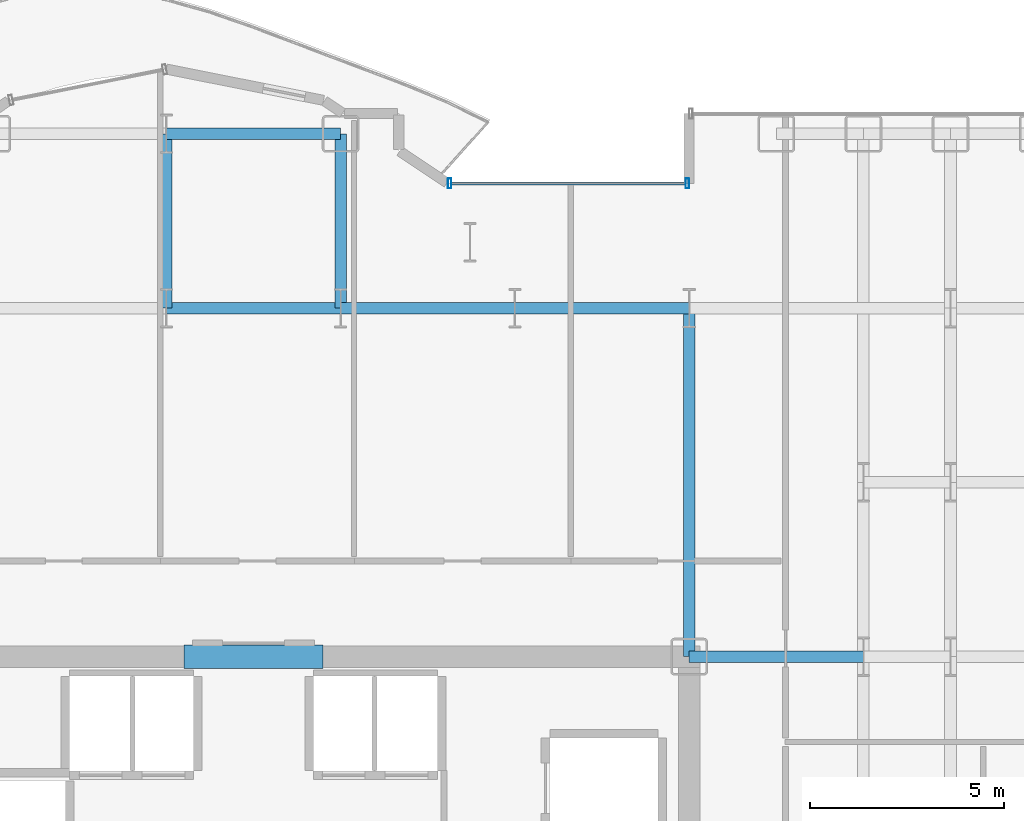
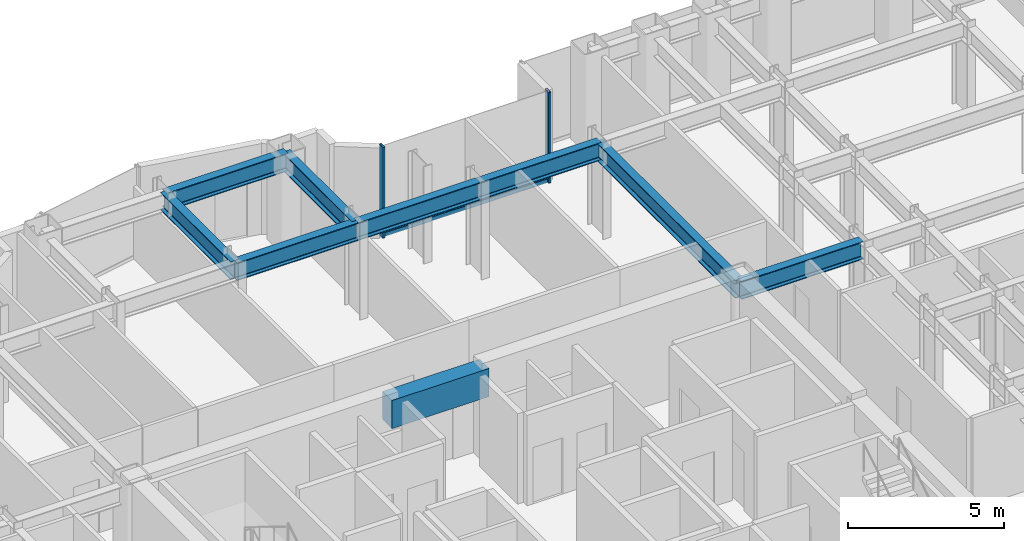
# One storey, part 14 of 29: 9 beams, 3 members, 1 element without a shape of its own.
"""IFC4 building model written with IfcOpenShell, lengths in metres."""

from ifc_helpers import new_model, si_unit, direction, frame, origin, origin_2d, place, context, subcontext, project, spatial, rectangle, hollow_rectangle, i_section, extrude, source, transform, mapped, material, layer, layer_set, material_profile, profile_set, type_object, element, aggregate, save


model = new_model("IFC4")

# Units and contexts
model_context = context("Model", 3, precision=1e-05, world=origin(), true_north=direction((0.0, 1.0)))
body_context = subcontext(model_context, "Body", "Model", "MODEL_VIEW")
ifc_project = project(units=[si_unit("LENGTHUNIT", "METRE"), si_unit("AREAUNIT", "SQUARE_METRE"), si_unit("VOLUMEUNIT", "CUBIC_METRE"), si_unit("PLANEANGLEUNIT", "RADIAN"), si_unit("MASSUNIT", "GRAM", prefix="KILO")], contexts=[model_context])

# Site, building, storey
site_placement = place(None, origin())
site = spatial("IfcSite", under=ifc_project, at=site_placement, CompositionType="ELEMENT")
building_placement = place(site_placement, origin())
building = spatial("IfcBuilding", under=site, at=building_placement, Name="Nefas-Gora Pilgrimage Tower", CompositionType="ELEMENT")
storey_placement = place(building_placement, frame((0.0, 0.0, 90.800048828125)))
storey = spatial("IfcBuildingStorey", under=building, at=storey_placement, Name="L21", CompositionType="ELEMENT", Elevation=90.800048828125)

# Beams
ifc_material_1 = material(Name="Concrete C60/75", Category="concrete")
ifc_material_profile_1 = material_profile(ifc_material_1, rectangle(XDim=0.60009765625, YDim=1.10009765625, at=origin_2d()), Name="RC 600x1100")
ifc_profile_set_1 = profile_set([ifc_material_profile_1], Name="Concrete C60/75")
beam_type_1 = type_object("IfcBeamType", Name="BM-LIN-RC1100", PredefinedType="LINTEL", material=ifc_profile_set_1)
shared_shape_1 = source(origin(), body_context, "Body", "SweptSolid", [
    extrude(rectangle(XDim=0.60009765625, YDim=1.10009765625, at=origin_2d()), origin(), (0.0, 0.0, 1.0), 3.60009765625),
])
beam_1_placement = place(storey_placement, frame((-1.800048828125, 9.0, 3.0), z_axis=(1.0, 0.0, 0.0), x_axis=(0.0, 1.0, 0.0)))
element("IfcBeam", 1, at=beam_1_placement, inside=storey, type_object=beam_type_1, Name="L21 Core Coupling Lintel Beam N", PredefinedType="LINTEL", context=body_context, shape_type="MappedRepresentation", body=[
    mapped(shared_shape_1, transform((0.0, 0.0, 0.0), x_axis=(1.0, 0.0, 0.0), y_axis=(0.0, 1.0, 0.0), z_axis=(0.0, 0.0, 1.0), scale=1.0)),
])
ifc_material_2 = material(Name="Steel S355", Category="steel")
ifc_material_profile_2 = material_profile(ifc_material_2, i_section(OverallWidth=0.300048828125, OverallDepth=0.699951171875, WebThickness=0.01708984375, FlangeThickness=0.031982421875, FilletRadius=0.027099609375, at=origin_2d()), Name="HEB 700")
ifc_profile_set_2 = profile_set([ifc_material_profile_2], Name="Steel S355")
beam_type_2 = type_object("IfcBeamType", Name="BM-GIR-HEB700", PredefinedType="BEAM", material=ifc_profile_set_2)
shared_shape_2 = source(origin(), body_context, "Body", "SweptSolid", [
    extrude(i_section(OverallWidth=0.300048828125, OverallDepth=0.699951171875, WebThickness=0.01708984375, FlangeThickness=0.031982421875, FilletRadius=0.027099609375, at=origin_2d()), origin(), (0.0, 0.0, 1.0), 9.0),
])
beam_2_placement = place(storey_placement, frame((11.25, 9.0, 3.199951171875), z_axis=(0.0, 1.0, 0.0), x_axis=(-1.0, 0.0, 0.0)))
element("IfcBeam", 2, at=beam_2_placement, inside=storey, type_object=beam_type_2, Name="L21 G-02 beam", PredefinedType="BEAM", context=body_context, shape_type="MappedRepresentation", body=[
    mapped(shared_shape_2, transform((0.0, 0.0, 0.0), x_axis=(1.0, 0.0, 0.0), y_axis=(0.0, 1.0, 0.0), z_axis=(0.0, 0.0, 1.0), scale=1.0)),
])
shared_shape_3 = source(origin(), body_context, "Body", "SweptSolid", [
    extrude(i_section(OverallWidth=0.300048828125, OverallDepth=0.699951171875, WebThickness=0.01708984375, FlangeThickness=0.031982421875, FilletRadius=0.027099609375, at=origin_2d()), origin(), (0.0, 0.0, 1.0), 4.5),
])
for number, where, z_axis, x_axis, name in (
    (3, (-2.25, 18.0, 3.199951171875), (0.0, 1.0, 0.0), (-1.0, 0.0, 0.0), "L21 G-02 beam"),
    (4, (-2.25, 18.0, 3.199951171875), (1.0, 0.0, 0.0), (0.0, 1.0, 0.0), "L21 G-02 beam"),
    (5, (-2.25, 22.5, 3.199951171875), (1.0, 0.0, 0.0), (0.0, 1.0, 0.0), "L21 G-02 beam"),
    (6, (2.25, 18.0, 3.199951171875), (0.0, 1.0, 0.0), (-1.0, 0.0, 0.0), "L21 G-02 beam"),
    (7, (2.25, 18.0, 3.199951171875), (1.0, 0.0, 0.0), (0.0, 1.0, 0.0), "L21 G-02 beam"),
    (8, (6.75, 18.0, 3.199951171875), (1.0, 0.0, 0.0), (0.0, 1.0, 0.0), "L21 G-02 beam"),
    (9, (11.25, 9.0, 3.199951171875), (1.0, 0.0, 0.0), (0.0, 1.0, 0.0), "L21 G-02 beam"),
):
    element("IfcBeam", number, at=place(storey_placement, frame(where, z_axis=z_axis, x_axis=x_axis)), inside=storey, type_object=beam_type_2, Name=name, PredefinedType="BEAM", context=body_context, shape_type="MappedRepresentation", body=[
        mapped(shared_shape_3, transform((0.0, 0.0, 0.0), x_axis=(1.0, 0.0, 0.0), y_axis=(0.0, 1.0, 0.0), z_axis=(0.0, 0.0, 1.0), scale=1.0)),
    ])

# Curtain wall, members
ifc_material_3 = material(Name="Dark ceramic-fritted solar-control aluminium-glass curtain wall", Category="aluminium")
ifc_layer = layer(ifc_material_3, 0.219970703125)
ifc_layer_set = layer_set([ifc_layer], Name="Dark ceramic-fritted solar-control aluminium-glass curtain wall")
curtain_wall_type = type_object("IfcCurtainWallType", Name="CW-SYS-5", PredefinedType="NOTDEFINED", material=ifc_layer_set)
curtain_wall_placement = place(storey_placement, origin())
curtain_wall = element("IfcCurtainWall", 10, at=curtain_wall_placement, inside=storey, type_object=curtain_wall_type, Name="L21 Unitised Curtain Wall CW5", PredefinedType="NOTDEFINED")
ifc_material_4 = material(Name="Anodised architectural aluminium", Category="aluminium")
ifc_material_profile_3 = material_profile(ifc_material_4, hollow_rectangle(XDim=0.090087890625, YDim=0.260009765625, WallThickness=0.006103515625, InnerFilletRadius=0.006103515625, OuterFilletRadius=0.011962890625, at=origin_2d()), Name="ALU MULLION 90x260")
ifc_profile_set_3 = profile_set([ifc_material_profile_3], Name="Anodised architectural aluminium")
member_type_1 = type_object("IfcMemberType", Name="CWM-MUL-5", PredefinedType="MULLION", material=ifc_profile_set_3)
shared_shape_4 = source(origin(), body_context, "Body", "SweptSolid", [
    extrude(hollow_rectangle(XDim=0.090087890625, YDim=0.260009765625, WallThickness=0.006103515625, InnerFilletRadius=0.006103515625, OuterFilletRadius=0.011962890625, at=origin_2d()), origin(), (0.0, 0.0, 1.0), 3.550048828125),
])
member_1_placement = place(storey_placement, frame((11.205078125, 21.219970703125, 0.0), z_axis=(0.0, 0.0, 1.0), x_axis=(-1.0, 0.0, 0.0)))
member_1 = element("IfcMember", 11, at=member_1_placement, type_object=member_type_1, Name="CW5 Mullion 1", PredefinedType="MULLION", context=body_context, shape_type="MappedRepresentation", body=[
    mapped(shared_shape_4, transform((0.0, 0.0, 0.0), x_axis=(1.0, 0.0, 0.0), y_axis=(0.0, 1.0, 0.0), z_axis=(0.0, 0.0, 1.0), scale=1.0)),
])
member_2_placement = place(storey_placement, frame((5.06298828125, 21.219970703125, 0.0), z_axis=(0.0, 0.0, 1.0), x_axis=(-1.0, 0.0, 0.0)))
member_2 = element("IfcMember", 12, at=member_2_placement, type_object=member_type_1, Name="CW5 Mullion 2", PredefinedType="MULLION", context=body_context, shape_type="MappedRepresentation", body=[
    mapped(shared_shape_4, transform((0.0, 0.0, 0.0), x_axis=(1.0, 0.0, 0.0), y_axis=(0.0, 1.0, 0.0), z_axis=(0.0, 0.0, 1.0), scale=1.0)),
])
ifc_material_profile_4 = material_profile(ifc_material_4, hollow_rectangle(XDim=0.080078125, YDim=0.159912109375, WallThickness=0.00439453125, InnerFilletRadius=0.00439453125, OuterFilletRadius=0.009033203125, at=origin_2d()), Name="ALU TRANSOM 80x160")
ifc_profile_set_4 = profile_set([ifc_material_profile_4], Name="Anodised architectural aluminium")
member_type_2 = type_object("IfcMemberType", Name="CWM-TRN-5", PredefinedType="USERDEFINED", material=ifc_profile_set_4)
shared_shape_5 = source(origin(), body_context, "Body", "SweptSolid", [
    extrude(hollow_rectangle(XDim=0.080078125, YDim=0.159912109375, WallThickness=0.00439453125, InnerFilletRadius=0.00439453125, OuterFilletRadius=0.009033203125, at=origin_2d()), origin(), (0.0, 0.0, 1.0), 6.052001953125),
])
member_3_placement = place(storey_placement, frame((11.159912109375, 21.219970703125, 0.050048828125), z_axis=(-1.0, 0.0, 0.0), x_axis=(0.0, -1.0, 0.0)))
member_3 = element("IfcMember", 13, at=member_3_placement, type_object=member_type_2, Name="CW5 Spandrel Transom", ObjectType="TRANSOM", PredefinedType="USERDEFINED", context=body_context, shape_type="MappedRepresentation", body=[
    mapped(shared_shape_5, transform((0.0, 0.0, 0.0), x_axis=(1.0, 0.0, 0.0), y_axis=(0.0, 1.0, 0.0), z_axis=(0.0, 0.0, 1.0), scale=1.0)),
])
aggregate(curtain_wall, [member_1, member_2, member_3])

save(model, "model.ifc")
